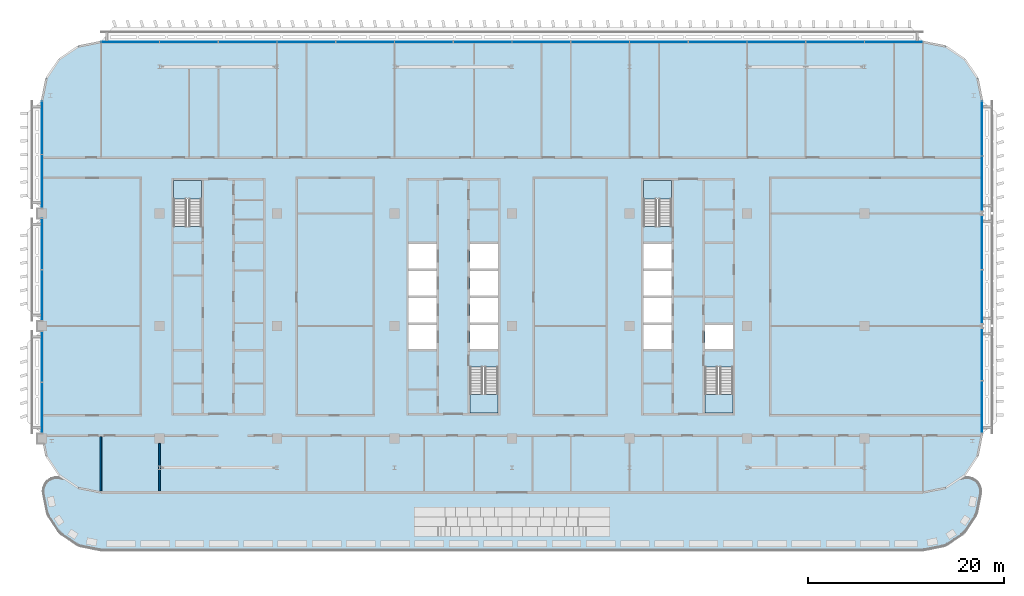
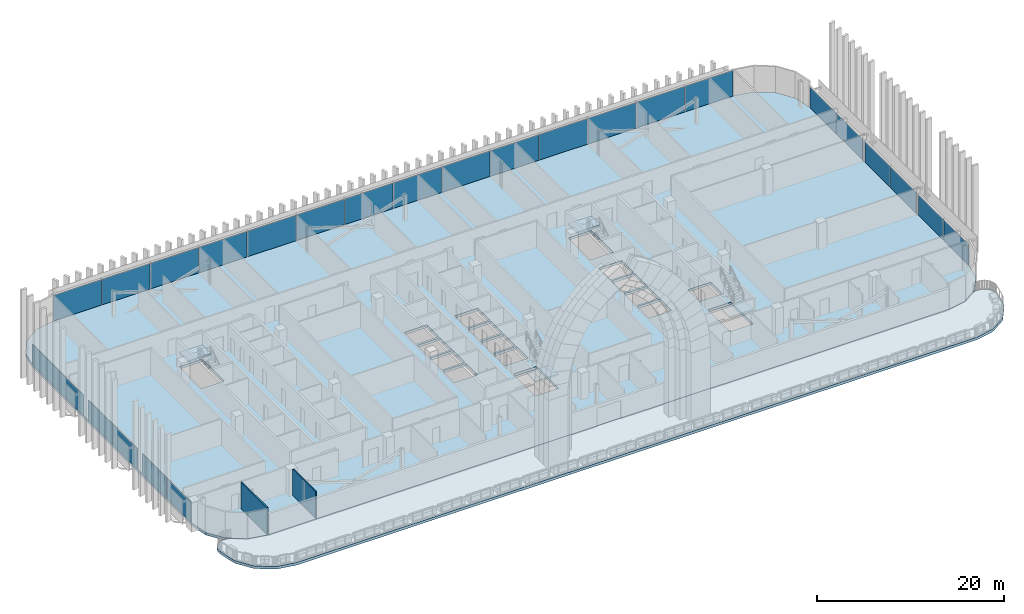
# One storey, part 8 of 30: 26 plates, 6 slabs, 2 walls, 11 elements without a shape of their own.
"""IFC4 building model written with IfcOpenShell, lengths in metres."""

from ifc_helpers import new_model, si_unit, direction, frame, frame_2d, origin, origin_2d, place, context, subcontext, project, spatial, polyline, rectangle, outline, extrude, material, layer, layer_set, type_object, element, aggregate, save


model = new_model("IFC4")

# Units and contexts
model_context = context("Model", 3, precision=1e-05, world=origin(), true_north=direction((0.0, 1.0)))
body_context = subcontext(model_context, "Body", "Model", "MODEL_VIEW")
ifc_project = project(units=[si_unit("LENGTHUNIT", "METRE"), si_unit("AREAUNIT", "SQUARE_METRE"), si_unit("VOLUMEUNIT", "CUBIC_METRE"), si_unit("PLANEANGLEUNIT", "RADIAN"), si_unit("MASSUNIT", "GRAM", prefix="KILO")], contexts=[model_context])

# Site, building, storey
site_placement = place(None, origin())
site = spatial("IfcSite", under=ifc_project, at=site_placement, CompositionType="ELEMENT")
building_placement = place(site_placement, origin())
building = spatial("IfcBuilding", under=site, at=building_placement, Name="Mahtab Terrace Research Tower", CompositionType="ELEMENT")
storey_placement = place(building_placement, frame((0.0, 0.0, 228.60009765625)))
storey = spatial("IfcBuildingStorey", under=building, at=storey_placement, Name="L55", CompositionType="ELEMENT", Elevation=228.60009765625)

# Stair, slab
ifc_material_1 = material(Name="Exit stair half-turn")
stair_type = type_object("IfcStairType", Name="Exit stair half-turn", PredefinedType="HALF_TURN_STAIR", material=ifc_material_1)
stair_1_placement = place(storey_placement, origin())
stair_1 = element("IfcStair", 1, at=stair_1_placement, inside=storey, type_object=stair_type, Name="L55 Protected exit stair ST1", PredefinedType="HALF_TURN_STAIR")
ifc_material_2 = material(Name="Concrete C40/50", Category="concrete")
ifc_layer_1 = layer(ifc_material_2, 0.199951171875)
ifc_layer_set_1 = layer_set([ifc_layer_1], Name="Exit stair landing 200")
slab_type_1 = type_object("IfcSlabType", Name="Exit stair landing 200", PredefinedType="LANDING", material=ifc_layer_set_1)
slab_1_placement = place(storey_placement, frame((0.0, 0.0, 1.699951171875)))
slab_1 = element("IfcSlab", 2, at=slab_1_placement, type_object=slab_type_1, Name="ST1 landing 1", PredefinedType="LANDING", context=body_context, shape_type="SweptSolid", body=[
    extrude(outline(polyline([(-25.699951171875, 12.97509765625), (-25.699951171875, 14.875), (-28.550048828125, 14.875), (-28.550048828125, 12.97509765625), (-25.699951171875, 12.97509765625)])), origin(), (0.0, 0.0, 1.0), 0.199951171875),
])
aggregate(stair_1, [slab_1])

stair_2_placement = place(storey_placement, origin())
stair_2 = element("IfcStair", 3, at=stair_2_placement, inside=storey, type_object=stair_type, Name="L55 Protected exit stair ST2", PredefinedType="HALF_TURN_STAIR")
slab_2_placement = place(storey_placement, frame((0.0, 0.0, 1.699951171875)))
slab_2 = element("IfcSlab", 4, at=slab_2_placement, type_object=slab_type_1, Name="ST2 landing 1", PredefinedType="LANDING", context=body_context, shape_type="SweptSolid", body=[
    extrude(outline(polyline([(1.699951171875, -6.97509765625), (1.699951171875, -8.875), (4.550048828125, -8.875), (4.550048828125, -6.97509765625), (1.699951171875, -6.97509765625)])), origin(), (0.0, 0.0, 1.0), 0.199951171875),
])
aggregate(stair_2, [slab_2])

stair_3_placement = place(storey_placement, origin())
stair_3 = element("IfcStair", 5, at=stair_3_placement, inside=storey, type_object=stair_type, Name="L55 Protected exit stair ST3", PredefinedType="HALF_TURN_STAIR")
slab_3_placement = place(storey_placement, frame((0.0, 0.0, 1.699951171875)))
slab_3 = element("IfcSlab", 6, at=slab_3_placement, type_object=slab_type_1, Name="ST3 landing 1", PredefinedType="LANDING", context=body_context, shape_type="SweptSolid", body=[
    extrude(outline(polyline([(22.300048828125, 12.97509765625), (22.300048828125, 14.875), (19.449951171875, 14.875), (19.449951171875, 12.97509765625), (22.300048828125, 12.97509765625)])), origin(), (0.0, 0.0, 1.0), 0.199951171875),
])
aggregate(stair_3, [slab_3])

stair_4_placement = place(storey_placement, origin())
stair_4 = element("IfcStair", 7, at=stair_4_placement, inside=storey, type_object=stair_type, Name="L55 Protected exit stair ST4", PredefinedType="HALF_TURN_STAIR")
slab_4_placement = place(storey_placement, frame((0.0, 0.0, 1.699951171875)))
slab_4 = element("IfcSlab", 8, at=slab_4_placement, type_object=slab_type_1, Name="ST4 landing 1", PredefinedType="LANDING", context=body_context, shape_type="SweptSolid", body=[
    extrude(outline(polyline([(25.699951171875, -6.97509765625), (25.699951171875, -8.875), (28.550048828125, -8.875), (28.550048828125, -6.97509765625), (25.699951171875, -6.97509765625)])), origin(), (0.0, 0.0, 1.0), 0.199951171875),
])
aggregate(stair_4, [slab_4])

# Slabs
ifc_layer_2 = layer(ifc_material_2, 0.340087890625)
ifc_layer_set_2 = layer_set([ifc_layer_2], Name="PT flat slab 340")
slab_type_2 = type_object("IfcSlabType", Name="PT flat slab 340", PredefinedType="FLOOR", material=ifc_layer_set_2)
slab_5_placement = place(storey_placement, frame((0.0, 0.0, -0.340087890625)))
element("IfcSlab", 9, at=slab_5_placement, inside=storey, type_object=slab_type_2, Name="Floor slab L55", PredefinedType="FLOOR", context=body_context, shape_type="SweptSolid", body=[
    extrude(outline(polyline([(53.54296875, 25.2958984375), (52.242919921875, 27.242919921875), (50.2958984375, 28.54296875), (48.0, 29.0), (-36.0, 29.0), (-38.2958984375, 28.54296875), (-40.242919921875, 27.242919921875), (-41.54296875, 25.2958984375), (-42.0, 23.0), (-42.0, -11.0), (-41.54296875, -13.2958984375), (-40.242919921875, -15.242919921875), (-38.2958984375, -16.54296875), (-36.0, -17.0), (48.0, -17.0), (50.2958984375, -16.54296875), (52.242919921875, -15.242919921875), (53.54296875, -13.2958984375), (54.0, -11.0), (54.0, 23.0), (53.54296875, 25.2958984375)]), holes=[polyline([(-4.550048828125, -2.375), (-4.550048828125, 0.125), (-1.699951171875, 0.125), (-1.699951171875, -2.375), (-4.550048828125, -2.375)]), polyline([(1.699951171875, -2.375), (1.699951171875, 0.125), (4.550048828125, 0.125), (4.550048828125, -2.375), (1.699951171875, -2.375)]), polyline([(-4.550048828125, 0.375), (-4.550048828125, 2.875), (-1.699951171875, 2.875), (-1.699951171875, 0.375), (-4.550048828125, 0.375)]), polyline([(1.699951171875, 0.375), (1.699951171875, 2.875), (4.550048828125, 2.875), (4.550048828125, 0.375), (1.699951171875, 0.375)]), polyline([(-4.550048828125, 3.125), (-4.550048828125, 5.625), (-1.699951171875, 5.625), (-1.699951171875, 3.125), (-4.550048828125, 3.125)]), polyline([(1.699951171875, 3.125), (1.699951171875, 5.625), (4.550048828125, 5.625), (4.550048828125, 3.125), (1.699951171875, 3.125)]), polyline([(-4.550048828125, 5.875), (-4.550048828125, 8.375), (-1.699951171875, 8.375), (-1.699951171875, 5.875), (-4.550048828125, 5.875)]), polyline([(1.699951171875, 5.875), (1.699951171875, 8.375), (4.550048828125, 8.375), (4.550048828125, 5.875), (1.699951171875, 5.875)]), polyline([(-28.550048828125, 10.177001953125), (-28.550048828125, 14.875), (-25.699951171875, 14.875), (-25.699951171875, 10.177001953125), (-28.550048828125, 10.177001953125)]), polyline([(1.699951171875, -8.875), (1.699951171875, -4.177001953125), (4.550048828125, -4.177001953125), (4.550048828125, -8.875), (1.699951171875, -8.875)]), polyline([(25.699951171875, -8.875), (25.699951171875, -4.177001953125), (28.550048828125, -4.177001953125), (28.550048828125, -8.875), (25.699951171875, -8.875)]), polyline([(19.449951171875, -2.375), (19.449951171875, 0.125), (22.300048828125, 0.125), (22.300048828125, -2.375), (19.449951171875, -2.375)]), polyline([(25.699951171875, -2.375), (25.699951171875, 0.125), (28.550048828125, 0.125), (28.550048828125, -2.375), (25.699951171875, -2.375)]), polyline([(19.449951171875, 0.375), (19.449951171875, 2.875), (22.300048828125, 2.875), (22.300048828125, 0.375), (19.449951171875, 0.375)]), polyline([(19.449951171875, 3.125), (19.449951171875, 5.625), (22.300048828125, 5.625), (22.300048828125, 3.125), (19.449951171875, 3.125)]), polyline([(19.449951171875, 8.375), (22.300048828125, 8.375), (22.300048828125, 5.875), (19.449951171875, 5.875), (19.449951171875, 8.375)]), polyline([(19.449951171875, 14.875), (22.300048828125, 14.875), (22.300048828125, 10.177001953125), (19.449951171875, 10.177001953125), (19.449951171875, 14.875)])]), origin(), (0.0, 0.0, 1.0), 0.340087890625),
])
ifc_layer_3 = layer(ifc_material_2, 0.340087890625)
ifc_layer_set_3 = layer_set([ifc_layer_3], Name="PT terrace slab 340")
slab_type_3 = type_object("IfcSlabType", Name="PT terrace slab 340", PredefinedType="FLOOR", material=ifc_layer_set_3)
slab_6_placement = place(storey_placement, frame((0.0, 0.0, -0.340087890625)))
element("IfcSlab", 10, at=slab_6_placement, inside=storey, type_object=slab_type_3, Name="Terrace slab L55", PredefinedType="FLOOR", context=body_context, shape_type="SweptSolid", body=[
    extrude(outline(polyline([(-41.60107421875, -19.0029296875), (-41.56591796875, -19.14599609375), (-41.51611328125, -19.284912109375), (-41.452880859375, -19.41796875), (-41.3779296875, -19.5439453125), (-40.407958984375, -20.9951171875), (-40.321044921875, -21.113037109375), (-40.221923828125, -21.221923828125), (-40.113037109375, -21.321044921875), (-39.9951171875, -21.407958984375), (-38.5439453125, -22.3779296875), (-38.41796875, -22.452880859375), (-38.284912109375, -22.51611328125), (-38.14599609375, -22.56591796875), (-38.0029296875, -22.60107421875), (-36.14501953125, -22.970947265625), (-35.9990234375, -22.992919921875), (-35.85205078125, -23.0), (47.85205078125, -23.0), (47.9990234375, -22.992919921875), (48.14501953125, -22.970947265625), (50.0029296875, -22.60107421875), (50.14599609375, -22.56591796875), (50.284912109375, -22.51611328125), (50.41796875, -22.452880859375), (50.5439453125, -22.3779296875), (51.9951171875, -21.407958984375), (52.113037109375, -21.321044921875), (52.221923828125, -21.221923828125), (52.321044921875, -21.113037109375), (52.407958984375, -20.9951171875), (53.3779296875, -19.5439453125), (53.452880859375, -19.41796875), (53.51611328125, -19.284912109375), (53.56591796875, -19.14599609375), (53.60107421875, -19.0029296875), (53.966064453125, -17.1708984375), (53.988037109375, -17.02490234375), (53.9951171875, -16.8779296875), (53.988037109375, -16.73095703125), (53.966064453125, -16.5859375), (53.929931640625, -16.443115234375), (53.881103515625, -16.303955078125), (53.818115234375, -16.1708984375), (53.741943359375, -16.044921875), (53.654052734375, -15.927001953125), (53.555908203125, -15.81689453125), (53.446044921875, -15.718994140625), (53.327880859375, -15.631103515625), (53.201904296875, -15.554931640625), (53.069091796875, -15.491943359375), (52.929931640625, -15.443115234375), (52.787109375, -15.406982421875), (52.64208984375, -15.385009765625), (52.4951171875, -15.3779296875), (52.347900390625, -15.385009765625), (52.201904296875, -15.406982421875), (52.05908203125, -15.443115234375), (51.9208984375, -15.491943359375), (51.7880859375, -15.554931640625), (51.660888671875, -15.631103515625), (50.326904296875, -16.52294921875), (50.294921875, -16.5419921875), (50.260009765625, -16.550048828125), (48.035888671875, -16.992919921875), (48.0, -16.998046875), (47.962890625, -17.0), (-35.962890625, -17.0), (-36.0, -16.998046875), (-36.035888671875, -16.992919921875), (-38.260009765625, -16.550048828125), (-38.294921875, -16.5419921875), (-38.326904296875, -16.52294921875), (-39.660888671875, -15.631103515625), (-39.7880859375, -15.554931640625), (-39.9208984375, -15.491943359375), (-40.05908203125, -15.443115234375), (-40.201904296875, -15.406982421875), (-40.347900390625, -15.385009765625), (-40.4951171875, -15.3779296875), (-40.64208984375, -15.385009765625), (-40.787109375, -15.406982421875), (-40.929931640625, -15.443115234375), (-41.069091796875, -15.491943359375), (-41.201904296875, -15.554931640625), (-41.327880859375, -15.631103515625), (-41.446044921875, -15.718994140625), (-41.555908203125, -15.81689453125), (-41.654052734375, -15.927001953125), (-41.741943359375, -16.044921875), (-41.818115234375, -16.1708984375), (-41.881103515625, -16.303955078125), (-41.929931640625, -16.443115234375), (-41.966064453125, -16.5859375), (-41.988037109375, -16.73095703125), (-41.9951171875, -16.8779296875), (-41.988037109375, -17.02490234375), (-41.966064453125, -17.1708984375), (-41.60107421875, -19.0029296875)])), origin(), (0.0, 0.0, 1.0), 0.340087890625),
])

# Curtain wall, plates
ifc_material_3 = material(Name="Sky lounge full-height curtain wall")
curtain_wall_type = type_object("IfcCurtainWallType", Name="Sky lounge full-height curtain wall", PredefinedType="NOTDEFINED", material=ifc_material_3)
curtain_wall_1_placement = place(storey_placement, origin())
curtain_wall_1 = element("IfcCurtainWall", 11, at=curtain_wall_1_placement, inside=storey, type_object=curtain_wall_type, Name="EN.L55.3.3", PredefinedType="NOTDEFINED")
ifc_material_4 = material(Name="Dark glazing", Category="glass")
ifc_layer_4 = layer(ifc_material_4, 0.0400390625)
ifc_layer_set_4 = layer_set([ifc_layer_4], Name="Sky lounge full-height curtain wall glazing panel")
plate_type = type_object("IfcPlateType", Name="Sky lounge full-height curtain wall glazing panel", PredefinedType="CURTAIN_PANEL", material=ifc_layer_set_4)
plate_1_placement = place(storey_placement, frame((44.982421875, 29.0, 0.0), z_axis=(0.0, 0.0, 1.0), x_axis=(-1.0, 0.0, 0.0)))
plate_1 = element("IfcPlate", 12, at=plate_1_placement, type_object=plate_type, Name="CWS-7 panel 1", PredefinedType="CURTAIN_PANEL", context=body_context, shape_type="SweptSolid", body=[
    extrude(rectangle(XDim=5.89501953125, YDim=0.0400390625, at=origin_2d()), origin(), (0.0, 0.0, 1.0), 3.340087890625),
])
plate_2_placement = place(storey_placement, frame((39.0, 29.0, 0.0), z_axis=(0.0, 0.0, 1.0), x_axis=(-1.0, 0.0, 0.0)))
plate_2 = element("IfcPlate", 13, at=plate_2_placement, type_object=plate_type, Name="CWS-7 panel 2", PredefinedType="CURTAIN_PANEL", context=body_context, shape_type="SweptSolid", body=[
    extrude(rectangle(XDim=5.929931640625, YDim=0.0400390625, at=origin_2d()), origin(), (0.0, 0.0, 1.0), 3.340087890625),
])
plate_3_placement = place(storey_placement, frame((33.0, 29.0, 0.0), z_axis=(0.0, 0.0, 1.0), x_axis=(-1.0, 0.0, 0.0)))
plate_3 = element("IfcPlate", 14, at=plate_3_placement, type_object=plate_type, Name="CWS-7 panel 3", PredefinedType="CURTAIN_PANEL", context=body_context, shape_type="SweptSolid", body=[
    extrude(rectangle(XDim=5.929931640625, YDim=0.0400390625, at=origin_2d()), origin(), (0.0, 0.0, 1.0), 3.340087890625),
])
plate_4_placement = place(storey_placement, frame((27.0, 29.0, 0.0), z_axis=(0.0, 0.0, 1.0), x_axis=(-1.0, 0.0, 0.0)))
plate_4 = element("IfcPlate", 15, at=plate_4_placement, type_object=plate_type, Name="CWS-7 panel 4", PredefinedType="CURTAIN_PANEL", context=body_context, shape_type="SweptSolid", body=[
    extrude(rectangle(XDim=5.929931640625, YDim=0.0400390625, at=origin_2d()), origin(), (0.0, 0.0, 1.0), 3.340087890625),
])
plate_5_placement = place(storey_placement, frame((21.0, 29.0, 0.0), z_axis=(0.0, 0.0, 1.0), x_axis=(-1.0, 0.0, 0.0)))
plate_5 = element("IfcPlate", 16, at=plate_5_placement, type_object=plate_type, Name="CWS-7 panel 5", PredefinedType="CURTAIN_PANEL", context=body_context, shape_type="SweptSolid", body=[
    extrude(rectangle(XDim=5.929931640625, YDim=0.0400390625, at=origin_2d()), origin(), (0.0, 0.0, 1.0), 3.340087890625),
])
plate_6_placement = place(storey_placement, frame((15.0, 29.0, 0.0), z_axis=(0.0, 0.0, 1.0), x_axis=(-1.0, 0.0, 0.0)))
plate_6 = element("IfcPlate", 17, at=plate_6_placement, type_object=plate_type, Name="CWS-7 panel 6", PredefinedType="CURTAIN_PANEL", context=body_context, shape_type="SweptSolid", body=[
    extrude(rectangle(XDim=5.929931640625, YDim=0.0400390625, at=origin_2d()), origin(), (0.0, 0.0, 1.0), 3.340087890625),
])
plate_7_placement = place(storey_placement, frame((9.0, 29.0, 0.0), z_axis=(0.0, 0.0, 1.0), x_axis=(-1.0, 0.0, 0.0)))
plate_7 = element("IfcPlate", 18, at=plate_7_placement, type_object=plate_type, Name="CWS-7 panel 7", PredefinedType="CURTAIN_PANEL", context=body_context, shape_type="SweptSolid", body=[
    extrude(rectangle(XDim=5.929931640625, YDim=0.0400390625, at=origin_2d()), origin(), (0.0, 0.0, 1.0), 3.340087890625),
])
plate_8_placement = place(storey_placement, frame((3.0, 29.0, 0.0), z_axis=(0.0, 0.0, 1.0), x_axis=(-1.0, 0.0, 0.0)))
plate_8 = element("IfcPlate", 19, at=plate_8_placement, type_object=plate_type, Name="CWS-7 panel 8", PredefinedType="CURTAIN_PANEL", context=body_context, shape_type="SweptSolid", body=[
    extrude(rectangle(XDim=5.929931640625, YDim=0.0400390625, at=origin_2d()), origin(), (0.0, 0.0, 1.0), 3.340087890625),
])
plate_9_placement = place(storey_placement, frame((-3.0, 29.0, 0.0), z_axis=(0.0, 0.0, 1.0), x_axis=(-1.0, 0.0, 0.0)))
plate_9 = element("IfcPlate", 20, at=plate_9_placement, type_object=plate_type, Name="CWS-7 panel 9", PredefinedType="CURTAIN_PANEL", context=body_context, shape_type="SweptSolid", body=[
    extrude(rectangle(XDim=5.929931640625, YDim=0.0400390625, at=origin_2d()), origin(), (0.0, 0.0, 1.0), 3.340087890625),
])
plate_10_placement = place(storey_placement, frame((-9.0, 29.0, 0.0), z_axis=(0.0, 0.0, 1.0), x_axis=(-1.0, 0.0, 0.0)))
plate_10 = element("IfcPlate", 21, at=plate_10_placement, type_object=plate_type, Name="CWS-7 panel 10", PredefinedType="CURTAIN_PANEL", context=body_context, shape_type="SweptSolid", body=[
    extrude(rectangle(XDim=5.929931640625, YDim=0.0400390625, at=origin_2d()), origin(), (0.0, 0.0, 1.0), 3.340087890625),
])
plate_11_placement = place(storey_placement, frame((-15.0, 29.0, 0.0), z_axis=(0.0, 0.0, 1.0), x_axis=(-1.0, 0.0, 0.0)))
plate_11 = element("IfcPlate", 22, at=plate_11_placement, type_object=plate_type, Name="CWS-7 panel 11", PredefinedType="CURTAIN_PANEL", context=body_context, shape_type="SweptSolid", body=[
    extrude(rectangle(XDim=5.929931640625, YDim=0.0400390625, at=origin_2d()), origin(), (0.0, 0.0, 1.0), 3.340087890625),
])
plate_12_placement = place(storey_placement, frame((-21.0, 29.0, 0.0), z_axis=(0.0, 0.0, 1.0), x_axis=(-1.0, 0.0, 0.0)))
plate_12 = element("IfcPlate", 23, at=plate_12_placement, type_object=plate_type, Name="CWS-7 panel 12", PredefinedType="CURTAIN_PANEL", context=body_context, shape_type="SweptSolid", body=[
    extrude(rectangle(XDim=5.929931640625, YDim=0.0400390625, at=origin_2d()), origin(), (0.0, 0.0, 1.0), 3.340087890625),
])
plate_13_placement = place(storey_placement, frame((-27.0, 29.0, 0.0), z_axis=(0.0, 0.0, 1.0), x_axis=(-1.0, 0.0, 0.0)))
plate_13 = element("IfcPlate", 24, at=plate_13_placement, type_object=plate_type, Name="CWS-7 panel 13", PredefinedType="CURTAIN_PANEL", context=body_context, shape_type="SweptSolid", body=[
    extrude(rectangle(XDim=5.929931640625, YDim=0.0400390625, at=origin_2d()), origin(), (0.0, 0.0, 1.0), 3.340087890625),
])
plate_14_placement = place(storey_placement, frame((-32.982421875, 29.0, 0.0), z_axis=(0.0, 0.0, 1.0), x_axis=(-1.0, 0.0, 0.0)))
plate_14 = element("IfcPlate", 25, at=plate_14_placement, type_object=plate_type, Name="CWS-7 panel 14", PredefinedType="CURTAIN_PANEL", context=body_context, shape_type="SweptSolid", body=[
    extrude(rectangle(XDim=5.89501953125, YDim=0.0400390625, at=origin_2d()), origin(), (0.0, 0.0, 1.0), 3.340087890625),
])
aggregate(curtain_wall_1, [plate_1, plate_2, plate_3, plate_4, plate_5, plate_6, plate_7, plate_8, plate_9, plate_10, plate_11, plate_12, plate_13, plate_14])

curtain_wall_2_placement = place(storey_placement, origin())
curtain_wall_2 = element("IfcCurtainWall", 26, at=curtain_wall_2_placement, inside=storey, type_object=curtain_wall_type, Name="EN.L55.8.8", PredefinedType="NOTDEFINED")
plate_15_placement = place(storey_placement, frame((-42.0, 20.232421875, 0.0), z_axis=(0.0, 0.0, 1.0), x_axis=(0.0, -1.0, 0.0)))
plate_15 = element("IfcPlate", 27, at=plate_15_placement, type_object=plate_type, Name="CWS-7 panel 1", PredefinedType="CURTAIN_PANEL", context=body_context, shape_type="SweptSolid", body=[
    extrude(rectangle(XDim=5.39501953125, YDim=0.0400390625, at=origin_2d()), origin(), (0.0, 0.0, 1.0), 2.73291015625),
])
plate_16_placement = place(storey_placement, frame((-42.0, 14.767578125, 0.0), z_axis=(0.0, 0.0, 1.0), x_axis=(0.0, -1.0, 0.0)))
plate_16 = element("IfcPlate", 28, at=plate_16_placement, type_object=plate_type, Name="CWS-7 panel 2", PredefinedType="CURTAIN_PANEL", context=body_context, shape_type="SweptSolid", body=[
    extrude(rectangle(XDim=5.39501953125, YDim=0.0400390625, at=origin_2d()), origin(), (0.0, 0.0, 1.0), 2.73291015625),
])
aggregate(curtain_wall_2, [plate_15, plate_16])

curtain_wall_3_placement = place(storey_placement, origin())
curtain_wall_3 = element("IfcCurtainWall", 29, at=curtain_wall_3_placement, inside=storey, type_object=curtain_wall_type, Name="EN.L55.8.9", PredefinedType="NOTDEFINED")
plate_17_placement = place(storey_placement, frame((-42.0, 8.357421875, 0.0), z_axis=(0.0, 0.0, 1.0), x_axis=(0.0, -1.0, 0.0)))
plate_17 = element("IfcPlate", 30, at=plate_17_placement, type_object=plate_type, Name="CWS-7 panel 1", PredefinedType="CURTAIN_PANEL", context=body_context, shape_type="SweptSolid", body=[
    extrude(rectangle(XDim=5.14501953125, YDim=0.0400390625, at=origin_2d()), origin(), (0.0, 0.0, 1.0), 2.73291015625),
])
plate_18_placement = place(storey_placement, frame((-42.0, 3.142578125, 0.0), z_axis=(0.0, 0.0, 1.0), x_axis=(0.0, -1.0, 0.0)))
plate_18 = element("IfcPlate", 31, at=plate_18_placement, type_object=plate_type, Name="CWS-7 panel 2", PredefinedType="CURTAIN_PANEL", context=body_context, shape_type="SweptSolid", body=[
    extrude(rectangle(XDim=5.14501953125, YDim=0.0400390625, at=origin_2d()), origin(), (0.0, 0.0, 1.0), 2.73291015625),
])
aggregate(curtain_wall_3, [plate_17, plate_18])

curtain_wall_4_placement = place(storey_placement, origin())
curtain_wall_4 = element("IfcCurtainWall", 32, at=curtain_wall_4_placement, inside=storey, type_object=curtain_wall_type, Name="EN.L55.8.10", PredefinedType="NOTDEFINED")
plate_19_placement = place(storey_placement, frame((-42.0, -3.142578125, 0.0), z_axis=(0.0, 0.0, 1.0), x_axis=(0.0, -1.0, 0.0)))
plate_19 = element("IfcPlate", 33, at=plate_19_placement, type_object=plate_type, Name="CWS-7 panel 1", PredefinedType="CURTAIN_PANEL", context=body_context, shape_type="SweptSolid", body=[
    extrude(rectangle(XDim=5.14501953125, YDim=0.0400390625, at=origin_2d()), origin(), (0.0, 0.0, 1.0), 2.73291015625),
])
plate_20_placement = place(storey_placement, frame((-42.0, -8.357421875, 0.0), z_axis=(0.0, 0.0, 1.0), x_axis=(0.0, -1.0, 0.0)))
plate_20 = element("IfcPlate", 34, at=plate_20_placement, type_object=plate_type, Name="CWS-7 panel 2", PredefinedType="CURTAIN_PANEL", context=body_context, shape_type="SweptSolid", body=[
    extrude(rectangle(XDim=5.14501953125, YDim=0.0400390625, at=origin_2d()), origin(), (0.0, 0.0, 1.0), 2.73291015625),
])
aggregate(curtain_wall_4, [plate_19, plate_20])

curtain_wall_5_placement = place(storey_placement, origin())
curtain_wall_5 = element("IfcCurtainWall", 35, at=curtain_wall_5_placement, inside=storey, type_object=curtain_wall_type, Name="EN.L55.18.20", PredefinedType="NOTDEFINED")
plate_21_placement = place(storey_placement, frame((54.0, -8.28076171875, 0.0), z_axis=(0.0, 0.0, 1.0), x_axis=(0.0, 1.0, 0.0)))
plate_21 = element("IfcPlate", 36, at=plate_21_placement, type_object=plate_type, Name="CWS-7 panel 1", PredefinedType="CURTAIN_PANEL", context=body_context, shape_type="SweptSolid", body=[
    extrude(rectangle(XDim=5.298583984375, YDim=0.0400390625, at=origin_2d()), origin(), (0.0, 0.0, 1.0), 2.73291015625),
])
plate_22_placement = place(storey_placement, frame((54.0, -2.912353515625, 0.0), z_axis=(0.0, 0.0, 1.0), x_axis=(0.0, 1.0, 0.0)))
plate_22 = element("IfcPlate", 37, at=plate_22_placement, type_object=plate_type, Name="CWS-7 panel 2", PredefinedType="CURTAIN_PANEL", context=body_context, shape_type="SweptSolid", body=[
    extrude(rectangle(XDim=5.298583984375, YDim=0.0400390625, at=origin_2d()), origin(), (0.0, 0.0, 1.0), 2.73291015625),
])
aggregate(curtain_wall_5, [plate_21, plate_22])

curtain_wall_6_placement = place(storey_placement, origin())
curtain_wall_6 = element("IfcCurtainWall", 38, at=curtain_wall_6_placement, inside=storey, type_object=curtain_wall_type, Name="EN.L55.18.21", PredefinedType="NOTDEFINED")
plate_23_placement = place(storey_placement, frame((54.0, 2.989013671875, 0.0), z_axis=(0.0, 0.0, 1.0), x_axis=(0.0, 1.0, 0.0)))
plate_23 = element("IfcPlate", 39, at=plate_23_placement, type_object=plate_type, Name="CWS-7 panel 1", PredefinedType="CURTAIN_PANEL", context=body_context, shape_type="SweptSolid", body=[
    extrude(rectangle(XDim=5.451904296875, YDim=0.0400390625, at=origin_2d()), origin(), (0.0, 0.0, 1.0), 2.73291015625),
])
plate_24_placement = place(storey_placement, frame((54.0, 8.510986328125, 0.0), z_axis=(0.0, 0.0, 1.0), x_axis=(0.0, 1.0, 0.0)))
plate_24 = element("IfcPlate", 40, at=plate_24_placement, type_object=plate_type, Name="CWS-7 panel 2", PredefinedType="CURTAIN_PANEL", context=body_context, shape_type="SweptSolid", body=[
    extrude(rectangle(XDim=5.451904296875, YDim=0.0400390625, at=origin_2d()), origin(), (0.0, 0.0, 1.0), 2.73291015625),
])
aggregate(curtain_wall_6, [plate_23, plate_24])

curtain_wall_7_placement = place(storey_placement, origin())
curtain_wall_7 = element("IfcCurtainWall", 41, at=curtain_wall_7_placement, inside=storey, type_object=curtain_wall_type, Name="EN.L55.18.22", PredefinedType="NOTDEFINED")
plate_25_placement = place(storey_placement, frame((54.0, 14.537353515625, 0.0), z_axis=(0.0, 0.0, 1.0), x_axis=(0.0, 1.0, 0.0)))
plate_25 = element("IfcPlate", 42, at=plate_25_placement, type_object=plate_type, Name="CWS-7 panel 1", PredefinedType="CURTAIN_PANEL", context=body_context, shape_type="SweptSolid", body=[
    extrude(rectangle(XDim=5.548583984375, YDim=0.0400390625, at=origin_2d()), origin(), (0.0, 0.0, 1.0), 2.73291015625),
])
plate_26_placement = place(storey_placement, frame((54.0, 20.15576171875, 0.0), z_axis=(0.0, 0.0, 1.0), x_axis=(0.0, 1.0, 0.0)))
plate_26 = element("IfcPlate", 43, at=plate_26_placement, type_object=plate_type, Name="CWS-7 panel 2", PredefinedType="CURTAIN_PANEL", context=body_context, shape_type="SweptSolid", body=[
    extrude(rectangle(XDim=5.548583984375, YDim=0.0400390625, at=origin_2d()), origin(), (0.0, 0.0, 1.0), 2.73291015625),
])
aggregate(curtain_wall_7, [plate_25, plate_26])

# Walls
ifc_material_5 = material(Name="Gypsum board partition on steel studs", Category="steel")
ifc_layer_5 = layer(ifc_material_5, 0.14990234375)
ifc_layer_set_5 = layer_set([ifc_layer_5], Name="WALL PARTITION 150")
wall_type = type_object("IfcWallType", Name="WALL PARTITION 150", PredefinedType="PARTITIONING", material=ifc_layer_set_5)
wall_1_placement = place(storey_placement, frame((-36.0, -16.84716796875, 0.0), z_axis=(0.0, 0.0, 1.0), x_axis=(0.0, 1.0, 0.0)))
element("IfcWall", 44, at=wall_1_placement, inside=storey, type_object=wall_type, Name="L55-W027", PredefinedType="PARTITIONING", context=body_context, shape_type="SweptSolid", body=[
    extrude(rectangle(XDim=5.547119140625, YDim=0.14990234375, at=frame_2d((2.7734375, 0.0))), origin(), (0.0, 0.0, 1.0), 3.4599609375),
])
wall_2_placement = place(storey_placement, frame((-30.0, -16.85009765625, 0.0), z_axis=(0.0, 0.0, 1.0), x_axis=(0.0, 1.0, 0.0)))
element("IfcWall", 45, at=wall_2_placement, inside=storey, type_object=wall_type, Name="L55-W030", PredefinedType="PARTITIONING", context=body_context, shape_type="SweptSolid", body=[
    extrude(rectangle(XDim=4.85009765625, YDim=0.14990234375, at=frame_2d((2.425048828125, 0.0))), origin(), (0.0, 0.0, 1.0), 3.4599609375),
])

save(model, "model.ifc")
